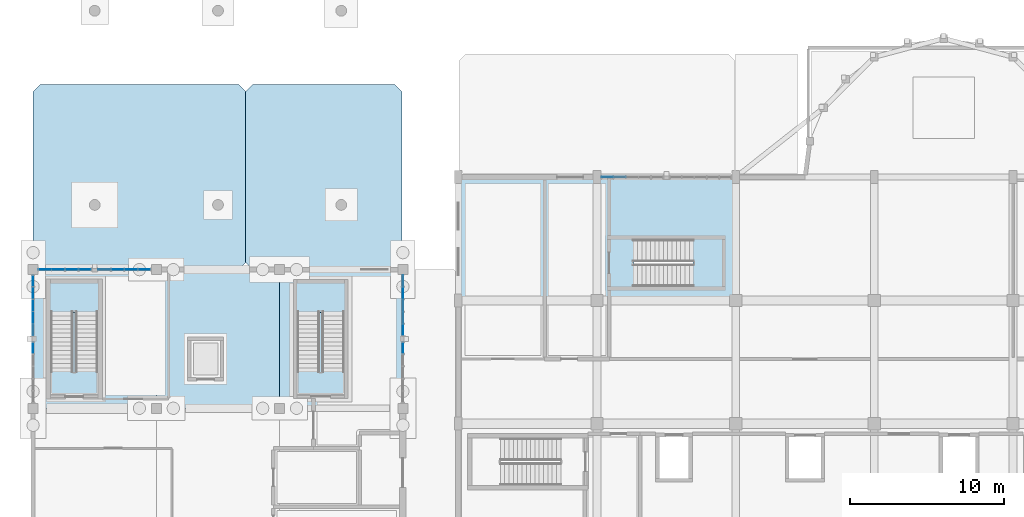
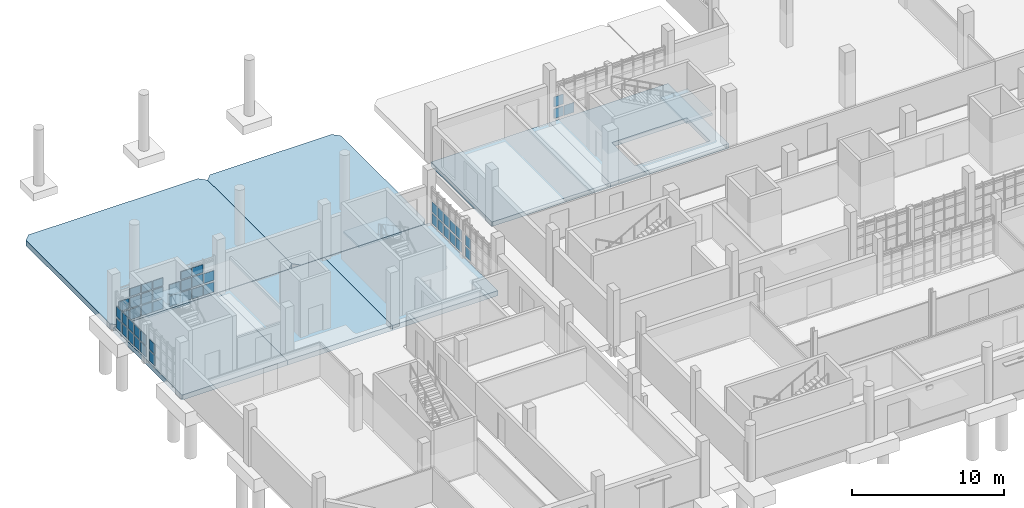
# One storey, part 32 of 63: 48 plates, 10 slabs, 10 elements without a shape of their own.
"""IFC4 building model written with IfcOpenShell, lengths in metres."""

import ifcopenshell
import ifcopenshell.guid

model = None  # the IFC model being written
_history = None  # IfcOwnerHistory: only IFC2X3 demands one
_inside = {}  # id of a spatial element -> (the spatial element, [elements in it])
_under = {}  # id of a project, library or spatial element -> (it, [spatial elements below it])
_declared = {}  # id of a project -> (the project, [libraries it declares])
_typed = {}  # id of a type object -> (the type object, [elements of that type])
_made_of = {}  # id of a material, layer set ... -> (it, [elements and type objects made of it])


def new_model(schema):
    """Start an empty IFC model of exactly this schema.

    Asked for "IFC4X3", IfcOpenShell would pick the latest addendum, in which some entities
    have other attributes; the version numbers below select the first issue.
    IFC2X3 requires an IfcOwnerHistory on every rooted entity: one is made here for all.
    """
    global model, _history
    if schema == "IFC4X3":
        model = ifcopenshell.file(schema_version=(4, 3, 0, 0))
    else:
        model = ifcopenshell.file(schema=schema)
    _inside.clear()
    _under.clear()
    _declared.clear()
    _typed.clear()
    _made_of.clear()
    _history = None
    if model.schema == "IFC2X3":
        org = make("IfcOrganization", Name="unknown")
        user = make(
            "IfcPersonAndOrganization",
            ThePerson=make("IfcPerson", FamilyName="unknown"),
            TheOrganization=org,
        )
        app = make(
            "IfcApplication",
            ApplicationDeveloper=org,
            Version="unknown",
            ApplicationFullName="unknown",
            ApplicationIdentifier="unknown",
        )
        _history = make(
            "IfcOwnerHistory",
            OwningUser=user,
            OwningApplication=app,
            ChangeAction="ADDED",
            CreationDate=0,
        )
    return model


def make(cls, **values):
    """One entity of the class cls with the attributes given. An attribute that is None is left unset."""
    return model.create_entity(
        cls, **{name: value for name, value in values.items() if value is not None}
    )


def rooted(cls, **values):
    """An entity with a GlobalId (a new one), such as an element, a storey or a relation."""
    return make(cls, GlobalId=ifcopenshell.guid.new(), OwnerHistory=_history, **values)


def si_unit(unit_type, name, prefix=None):
    """IfcSIUnit, for example si_unit("LENGTHUNIT", "METRE", prefix="MILLI")."""
    return make("IfcSIUnit", UnitType=unit_type, Prefix=prefix, Name=name)


def assignment(units):
    """IfcUnitAssignment: the units of a project."""
    return None if units is None else make("IfcUnitAssignment", Units=units)


def point(xyz):
    """IfcCartesianPoint."""
    return None if xyz is None else make("IfcCartesianPoint", Coordinates=xyz)


def direction(xyz):
    """IfcDirection."""
    return None if xyz is None else make("IfcDirection", DirectionRatios=xyz)


def frame(location, z_axis=None, x_axis=None):
    """IfcAxis2Placement3D, a coordinate frame: its origin and axes. An axis left out is left unset."""
    return make(
        "IfcAxis2Placement3D",
        Location=point(location),
        Axis=direction(z_axis),
        RefDirection=direction(x_axis),
    )


def frame_2d(location, x_axis=None):
    """IfcAxis2Placement2D, a coordinate frame in the plane: its origin and x axis."""
    return make(
        "IfcAxis2Placement2D", Location=point(location), RefDirection=direction(x_axis)
    )


def origin():
    """The frame at (0, 0, 0) with its axes left unset."""
    return frame((0.0, 0.0, 0.0))


def origin_2d():
    """The frame at (0, 0) in the plane with its x axis left unset."""
    return frame_2d((0.0, 0.0))


def place(relative_to, where):
    """IfcLocalPlacement: puts the frame where relative to a parent placement (None: the world)."""
    return make(
        "IfcLocalPlacement", PlacementRelTo=relative_to, RelativePlacement=where
    )


def context(
    kind, dimensions, precision=None, world=None, true_north=None, identifier=None
):
    """IfcGeometricRepresentationContext, for example the 3D "Model" context."""
    return make(
        "IfcGeometricRepresentationContext",
        ContextIdentifier=identifier,
        ContextType=kind,
        CoordinateSpaceDimension=dimensions,
        Precision=precision,
        WorldCoordinateSystem=world,
        TrueNorth=true_north,
    )


def subcontext(parent, identifier, kind, view, scale=None):
    """IfcGeometricRepresentationSubContext, for example "Body" below "Model"."""
    return make(
        "IfcGeometricRepresentationSubContext",
        ContextIdentifier=identifier,
        ContextType=kind,
        ParentContext=parent,
        TargetScale=scale,
        TargetView=view,
    )


def project(units=None, contexts=None):
    """IfcProject with its units and contexts."""
    return rooted(
        "IfcProject",
        Name="project",
        RepresentationContexts=contexts,
        UnitsInContext=assignment(units),
    )


def spatial(cls, under=None, at=None, **own):
    """A site, building, storey or space (cls), placed at a placement, below another one or the project."""
    s = rooted(cls, ObjectPlacement=at, **own)
    if under is not None:
        _under.setdefault(under.id(), (under, []))[1].append(s)
    return s


def polyline(points):
    """IfcPolyline through the points."""
    return make("IfcPolyline", Points=[point(p) for p in points])


def profile(cls, at=None, kind="AREA", **sizes):
    """A parametric profile (cls). Its sizes go by their IFC names, for example OverallWidth=200.0."""
    return make(cls, ProfileType=kind, Position=at, **sizes)


def rectangle(**sizes):
    """IfcRectangleProfileDef."""
    return profile("IfcRectangleProfileDef", **sizes)


def outline(outer, holes=None, kind="AREA"):
    """IfcArbitraryClosedProfileDef: a profile drawn as a closed curve; with holes, ...WithVoids."""
    if holes is None:
        return make("IfcArbitraryClosedProfileDef", ProfileType=kind, OuterCurve=outer)
    return make(
        "IfcArbitraryProfileDefWithVoids",
        ProfileType=kind,
        OuterCurve=outer,
        InnerCurves=holes,
    )


def extrude(swept, where, along, depth):
    """IfcExtrudedAreaSolid: the profile swept, set in the frame where, extruded along a direction by depth."""
    return make(
        "IfcExtrudedAreaSolid",
        SweptArea=swept,
        Position=where,
        ExtrudedDirection=direction(along),
        Depth=depth,
    )


def shape(context_of_items, identifier, shape_type, items):
    """IfcShapeRepresentation: the items that make up one representation, for example the "Body"."""
    return make(
        "IfcShapeRepresentation",
        ContextOfItems=context_of_items,
        RepresentationIdentifier=identifier,
        RepresentationType=shape_type,
        Items=items,
    )


def material(Name=None, Category=None):
    """IfcMaterial."""
    return make("IfcMaterial", Name=Name, Category=Category)


def layer(
    of_material, thickness, ventilated=None, Name=None, Category=None, Priority=None
):
    """IfcMaterialLayer: one layer of a wall or slab, of a material (None: an air gap)."""
    return make(
        "IfcMaterialLayer",
        Material=of_material,
        LayerThickness=thickness,
        IsVentilated=ventilated,
        Name=Name,
        Category=Category,
        Priority=Priority,
    )


def layer_set(layers, Name=None):
    """IfcMaterialLayerSet."""
    return make("IfcMaterialLayerSet", MaterialLayers=layers, LayerSetName=Name)


def made_of(thing, what):
    """Note that an element or type object is made of a material, layer set ...; save() writes the relation."""
    if what is not None:
        _made_of.setdefault(what.id(), (what, []))[1].append(thing)
    return thing


def type_object(cls, material=None, **own):
    """A type object (cls), such as IfcWallType, which elements share."""
    return made_of(rooted(cls, **own), material)


def element(
    cls,
    number,
    at=None,
    inside=None,
    cuts=None,
    type_object=None,
    material=None,
    context=None,
    identifier="Body",
    shape_type=None,
    held_by="IfcProductDefinitionShape",
    body=None,
    shapes=None,
    **own,
):
    """One element of the class cls, such as IfcWall. Its Tag is "e" and its number.

    at: its placement. inside: the storey or other place that contains it. cuts: it is an
    opening in that element (IfcRelVoidsElement). A single representation is given by context,
    identifier, shape_type and body (its items); several are given by shapes. held_by: the class
    of the entity that holds the representations. save() writes the other relations.
    """
    e = rooted(cls, Tag="e%d" % number, ObjectPlacement=at, **own)
    if body is not None:
        shapes = [shape(context, identifier, shape_type, body)]
    if shapes is not None:
        e.Representation = make(held_by, Representations=shapes)
    if inside is not None:
        _inside.setdefault(inside.id(), (inside, []))[1].append(e)
    if cuts is not None:
        rooted(
            "IfcRelVoidsElement", RelatingBuildingElement=cuts, RelatedOpeningElement=e
        )
    if type_object is not None:
        _typed.setdefault(type_object.id(), (type_object, []))[1].append(e)
    return made_of(e, material)


def aggregate(whole, parts):
    """IfcRelAggregates: a whole, such as a stair, and the parts it consists of."""
    return rooted("IfcRelAggregates", RelatingObject=whole, RelatedObjects=parts)


def save(model, path):
    """Write the relations noted so far, then the file.

    IfcRelAggregates (storeys below a building ...), IfcRelContainedInSpatialStructure (elements
    in a storey), IfcRelDefinesByType, IfcRelAssociatesMaterial and IfcRelDeclares: one each for
    every whole, place, type object, material and project.
    """
    for whole, parts in _under.values():
        aggregate(whole, parts)
    for where, things in _inside.values():
        rooted(
            "IfcRelContainedInSpatialStructure",
            RelatedElements=things,
            RelatingStructure=where,
        )
    for kind, things in _typed.values():
        rooted("IfcRelDefinesByType", RelatedObjects=things, RelatingType=kind)
    for what, things in _made_of.values():
        rooted("IfcRelAssociatesMaterial", RelatedObjects=things, RelatingMaterial=what)
    for by, libraries in _declared.values():
        rooted("IfcRelDeclares", RelatingContext=by, RelatedDefinitions=libraries)
    model.write(path)


model = new_model("IFC4")

# Units and contexts
model_context = context("Model", 3, precision=1e-05, world=origin(), true_north=direction((0.0, 1.0)))
body_context = subcontext(model_context, "Body", "Model", "MODEL_VIEW")
ifc_project = project(units=[si_unit("LENGTHUNIT", "METRE"), si_unit("AREAUNIT", "SQUARE_METRE"), si_unit("VOLUMEUNIT", "CUBIC_METRE"), si_unit("PLANEANGLEUNIT", "RADIAN"), si_unit("MASSUNIT", "GRAM", prefix="KILO")], contexts=[model_context])

# Site, building, storey
site_placement = place(None, origin())
site = spatial("IfcSite", under=ifc_project, at=site_placement, CompositionType="ELEMENT")
building_placement = place(site_placement, origin())
building = spatial("IfcBuilding", under=site, at=building_placement, Name="Serraforn Aerial Cableway Station", CompositionType="ELEMENT")
storey_placement = place(building_placement, origin())
storey = spatial("IfcBuildingStorey", under=building, at=storey_placement, Name="L00", CompositionType="ELEMENT", Elevation=0.0)

# Curtain wall, plates
ifc_material_1 = material(Name="Anodised bronze unitised curtain wall")
curtain_wall_type_1 = type_object("IfcCurtainWallType", Name="CW-SYS-7", PredefinedType="USERDEFINED", material=ifc_material_1)
curtain_wall_1_placement = place(storey_placement, origin())
curtain_wall_1 = element("IfcCurtainWall", 1, at=curtain_wall_1_placement, inside=storey, type_object=curtain_wall_type_1, Name="Unitised Curtain Wall CW-W-L00-W4A", ObjectType="UNITISED CURTAIN WALL", PredefinedType="USERDEFINED")
ifc_material_2 = material(Name="Solar-control low-E double glazing", Category="glass")
ifc_layer_1 = layer(ifc_material_2, 0.02587890625)
ifc_layer_set_1 = layer_set([ifc_layer_1], Name="Solar-control low-E double glazing")
plate_type_1 = type_object("IfcPlateType", Name="CW-GLZ-1", PredefinedType="CURTAIN_PANEL", material=ifc_layer_set_1)
plate_1_placement = place(storey_placement, frame((0.0, 35.26220703125, 1.14111328125), z_axis=(0.0, 0.0, 1.0), x_axis=(1.0, 0.0, 0.0)))
plate_1 = element("IfcPlate", 2, at=plate_1_placement, type_object=plate_type_1, Name="Curtain Wall Panel CW-W-L00-W4A-P1-2", PredefinedType="CURTAIN_PANEL", context=body_context, shape_type="SweptSolid", body=[
    extrude(rectangle(XDim=0.02587890625, YDim=0.703369140625, at=origin_2d()), origin(), (0.0, 0.0, 1.0), 0.802490234375),
])
plate_2_placement = place(storey_placement, frame((0.0, 34.47900390625, 0.20556640625), z_axis=(0.0, 0.0, 1.0), x_axis=(1.0, 0.0, 0.0)))
plate_2 = element("IfcPlate", 3, at=plate_2_placement, type_object=plate_type_1, Name="Curtain Wall Panel CW-W-L00-W4A-P2-1", PredefinedType="CURTAIN_PANEL", context=body_context, shape_type="SweptSolid", body=[
    extrude(rectangle(XDim=0.02587890625, YDim=0.73095703125, at=origin_2d()), origin(), (0.0, 0.0, 1.0), 0.802490234375),
])

# Curtain wall, plate
curtain_wall_type_2 = type_object("IfcCurtainWallType", Name="CW-SYS-8", PredefinedType="USERDEFINED", material=ifc_material_1)
curtain_wall_2_placement = place(storey_placement, origin())
curtain_wall_2 = element("IfcCurtainWall", 4, at=curtain_wall_2_placement, inside=storey, type_object=curtain_wall_type_2, Name="Unitised Curtain Wall CW-W-L00-W4B", ObjectType="UNITISED CURTAIN WALL", PredefinedType="USERDEFINED")
plate_3_placement = place(storey_placement, frame((0.0, 30.904052734375, 0.20556640625), z_axis=(0.0, 0.0, 1.0), x_axis=(1.0, 0.0, 0.0)))
plate_3 = element("IfcPlate", 5, at=plate_3_placement, type_object=plate_type_1, Name="Curtain Wall Panel CW-W-L00-W4B-P1-1", PredefinedType="CURTAIN_PANEL", context=body_context, shape_type="SweptSolid", body=[
    extrude(rectangle(XDim=0.02587890625, YDim=0.69580078125, at=origin_2d()), origin(), (0.0, 0.0, 1.0), 0.802490234375),
])

curtain_wall_type_3 = type_object("IfcCurtainWallType", Name="CW-SYS-1", PredefinedType="USERDEFINED", material=ifc_material_1)
curtain_wall_3_placement = place(storey_placement, origin())
curtain_wall_3 = element("IfcCurtainWall", 6, at=curtain_wall_3_placement, inside=storey, type_object=curtain_wall_type_3, Name="Unitised Curtain Wall CW-W-L00-N1A", ObjectType="UNITISED CURTAIN WALL", PredefinedType="USERDEFINED")
ifc_layer_2 = layer(ifc_material_2, 0.028076171875)
ifc_layer_set_2 = layer_set([ifc_layer_2], Name="Solar-control low-E double glazing")
plate_type_2 = type_object("IfcPlateType", Name="CW-GLZ-2", PredefinedType="CURTAIN_PANEL", material=ifc_layer_set_2)
plate_4_placement = place(storey_placement, frame((7.22607421875, 36.0, 0.1904296875), z_axis=(0.0, 0.0, 1.0), x_axis=(1.0, 0.0, 0.0)))
plate_4 = element("IfcPlate", 7, at=plate_4_placement, type_object=plate_type_2, Name="Curtain Wall Panel CW-W-L00-N1A-P1-1", PredefinedType="CURTAIN_PANEL", context=body_context, shape_type="SweptSolid", body=[
    extrude(rectangle(XDim=0.78564453125, YDim=0.028076171875, at=origin_2d()), origin(), (0.0, 0.0, 1.0), 0.797607421875),
])

# Plate
plate_5_placement = place(storey_placement, frame((0.0, 34.47900390625, 1.11376953125), z_axis=(0.0, 0.0, 1.0), x_axis=(1.0, 0.0, 0.0)))
plate_5 = element("IfcPlate", 8, at=plate_5_placement, type_object=plate_type_2, Name="Curtain Wall Panel CW-W-L00-W4A-P2-2", PredefinedType="CURTAIN_PANEL", context=body_context, shape_type="SweptSolid", body=[
    extrude(rectangle(XDim=0.028076171875, YDim=0.73095703125, at=origin_2d()), origin(), (0.0, 0.0, 1.0), 0.824951171875),
])

plate_6_placement = place(storey_placement, frame((0.0, 33.673583984375, 0.177734375), z_axis=(0.0, 0.0, 1.0), x_axis=(1.0, 0.0, 0.0)))
plate_6 = element("IfcPlate", 9, at=plate_6_placement, type_object=plate_type_2, Name="Curtain Wall Panel CW-W-L00-W4A-P3-1", PredefinedType="CURTAIN_PANEL", context=body_context, shape_type="SweptSolid", body=[
    extrude(rectangle(XDim=0.028076171875, YDim=0.73828125, at=origin_2d()), origin(), (0.0, 0.0, 1.0), 0.824951171875),
])

plate_7_placement = place(storey_placement, frame((0.0, 30.904052734375, 1.11376953125), z_axis=(0.0, 0.0, 1.0), x_axis=(1.0, 0.0, 0.0)))
plate_7 = element("IfcPlate", 10, at=plate_7_placement, type_object=plate_type_2, Name="Curtain Wall Panel CW-W-L00-W4B-P1-2", PredefinedType="CURTAIN_PANEL", context=body_context, shape_type="SweptSolid", body=[
    extrude(rectangle(XDim=0.028076171875, YDim=0.69580078125, at=origin_2d()), origin(), (0.0, 0.0, 1.0), 0.824951171875),
])

aggregate(curtain_wall_2, [plate_3, plate_7])

ifc_layer_3 = layer(ifc_material_2, 0.030029296875)
ifc_layer_set_3 = layer_set([ifc_layer_3], Name="Solar-control low-E double glazing")
plate_type_3 = type_object("IfcPlateType", Name="CW-GLZ-3", PredefinedType="CURTAIN_PANEL", material=ifc_layer_set_3)
plate_8_placement = place(storey_placement, frame((7.22607421875, 36.0, 1.1337890625), z_axis=(0.0, 0.0, 1.0), x_axis=(1.0, 0.0, 0.0)))
plate_8 = element("IfcPlate", 11, at=plate_8_placement, type_object=plate_type_3, Name="Curtain Wall Panel CW-W-L00-N1A-P1-2", PredefinedType="CURTAIN_PANEL", context=body_context, shape_type="SweptSolid", body=[
    extrude(rectangle(XDim=0.78564453125, YDim=0.030029296875, at=origin_2d()), origin(), (0.0, 0.0, 1.0), 0.782470703125),
])

plate_9_placement = place(storey_placement, frame((6.366943359375, 36.0, 0.19775390625), z_axis=(0.0, 0.0, 1.0), x_axis=(1.0, 0.0, 0.0)))
plate_9 = element("IfcPlate", 12, at=plate_9_placement, type_object=plate_type_3, Name="Curtain Wall Panel CW-W-L00-N1A-P2-1", PredefinedType="CURTAIN_PANEL", context=body_context, shape_type="SweptSolid", body=[
    extrude(rectangle(XDim=0.810791015625, YDim=0.030029296875, at=origin_2d()), origin(), (0.0, 0.0, 1.0), 0.782470703125),
])

# Curtain wall, plate
curtain_wall_type_4 = type_object("IfcCurtainWallType", Name="CW-SYS-2", PredefinedType="USERDEFINED", material=ifc_material_1)
curtain_wall_4_placement = place(storey_placement, origin())
curtain_wall_4 = element("IfcCurtainWall", 13, at=curtain_wall_4_placement, inside=storey, type_object=curtain_wall_type_4, Name="Unitised Curtain Wall CW-W-L00-N1B", ObjectType="UNITISED CURTAIN WALL", PredefinedType="USERDEFINED")
plate_10_placement = place(storey_placement, frame((3.367919921875, 36.0, 0.19775390625), z_axis=(0.0, 0.0, 1.0), x_axis=(1.0, 0.0, 0.0)))
plate_10 = element("IfcPlate", 14, at=plate_10_placement, type_object=plate_type_3, Name="Curtain Wall Panel CW-W-L00-N1B-P1-1", PredefinedType="CURTAIN_PANEL", context=body_context, shape_type="SweptSolid", body=[
    extrude(rectangle(XDim=0.7783203125, YDim=0.030029296875, at=origin_2d()), origin(), (0.0, 0.0, 1.0), 0.782470703125),
])

# Plate
plate_11_placement = place(storey_placement, frame((0.0, 33.673583984375, 1.118896484375), z_axis=(0.0, 0.0, 1.0), x_axis=(1.0, 0.0, 0.0)))
plate_11 = element("IfcPlate", 15, at=plate_11_placement, type_object=plate_type_3, Name="Curtain Wall Panel CW-W-L00-W4A-P3-2", PredefinedType="CURTAIN_PANEL", context=body_context, shape_type="SweptSolid", body=[
    extrude(rectangle(XDim=0.030029296875, YDim=0.73828125, at=origin_2d()), origin(), (0.0, 0.0, 1.0), 0.8125),
])

plate_12_placement = place(storey_placement, frame((0.0, 32.88037109375, 0.182861328125), z_axis=(0.0, 0.0, 1.0), x_axis=(1.0, 0.0, 0.0)))
plate_12 = element("IfcPlate", 16, at=plate_12_placement, type_object=plate_type_3, Name="Curtain Wall Panel CW-W-L00-W4A-P4-1", PredefinedType="CURTAIN_PANEL", context=body_context, shape_type="SweptSolid", body=[
    extrude(rectangle(XDim=0.030029296875, YDim=0.745849609375, at=origin_2d()), origin(), (0.0, 0.0, 1.0), 0.8125),
])

# Curtain wall, plate
curtain_wall_type_5 = type_object("IfcCurtainWallType", Name="CW-SYS-10", PredefinedType="USERDEFINED", material=ifc_material_1)
curtain_wall_5_placement = place(storey_placement, origin())
curtain_wall_5 = element("IfcCurtainWall", 17, at=curtain_wall_5_placement, inside=storey, type_object=curtain_wall_type_5, Name="Unitised Curtain Wall CW-W-L00-E4B", ObjectType="UNITISED CURTAIN WALL", PredefinedType="USERDEFINED")
plate_13_placement = place(storey_placement, frame((24.0, 32.09228515625, 0.182861328125), z_axis=(0.0, 0.0, 1.0), x_axis=(1.0, 0.0, 0.0)))
plate_13 = element("IfcPlate", 18, at=plate_13_placement, type_object=plate_type_3, Name="Curtain Wall Panel CW-W-L00-E4B-P1-1", PredefinedType="CURTAIN_PANEL", context=body_context, shape_type="SweptSolid", body=[
    extrude(rectangle(XDim=0.030029296875, YDim=0.718505859375, at=origin_2d()), origin(), (0.0, 0.0, 1.0), 0.8125),
])

# Plate
ifc_layer_4 = layer(ifc_material_2, 0.031982421875)
ifc_layer_set_4 = layer_set([ifc_layer_4], Name="Solar-control low-E double glazing")
plate_type_4 = type_object("IfcPlateType", Name="CW-GLZ-4", PredefinedType="CURTAIN_PANEL", material=ifc_layer_set_4)
plate_14_placement = place(storey_placement, frame((6.366943359375, 36.0, 1.14111328125), z_axis=(0.0, 0.0, 1.0), x_axis=(1.0, 0.0, 0.0)))
plate_14 = element("IfcPlate", 19, at=plate_14_placement, type_object=plate_type_4, Name="Curtain Wall Panel CW-W-L00-N1A-P2-2", PredefinedType="CURTAIN_PANEL", context=body_context, shape_type="SweptSolid", body=[
    extrude(rectangle(XDim=0.810791015625, YDim=0.031982421875, at=origin_2d()), origin(), (0.0, 0.0, 1.0), 0.802490234375),
])

plate_15_placement = place(storey_placement, frame((5.49267578125, 36.0, 0.20556640625), z_axis=(0.0, 0.0, 1.0), x_axis=(1.0, 0.0, 0.0)))
plate_15 = element("IfcPlate", 20, at=plate_15_placement, type_object=plate_type_4, Name="Curtain Wall Panel CW-W-L00-N1A-P3-1", PredefinedType="CURTAIN_PANEL", context=body_context, shape_type="SweptSolid", body=[
    extrude(rectangle(XDim=0.8056640625, YDim=0.031982421875, at=origin_2d()), origin(), (0.0, 0.0, 1.0), 0.802490234375),
])

plate_16_placement = place(storey_placement, frame((3.367919921875, 36.0, 1.14111328125), z_axis=(0.0, 0.0, 1.0), x_axis=(1.0, 0.0, 0.0)))
plate_16 = element("IfcPlate", 21, at=plate_16_placement, type_object=plate_type_4, Name="Curtain Wall Panel CW-W-L00-N1B-P1-2", PredefinedType="CURTAIN_PANEL", context=body_context, shape_type="SweptSolid", body=[
    extrude(rectangle(XDim=0.7783203125, YDim=0.031982421875, at=origin_2d()), origin(), (0.0, 0.0, 1.0), 0.802490234375),
])

plate_17_placement = place(storey_placement, frame((2.510009765625, 36.0, 0.20556640625), z_axis=(0.0, 0.0, 1.0), x_axis=(1.0, 0.0, 0.0)))
plate_17 = element("IfcPlate", 22, at=plate_17_placement, type_object=plate_type_4, Name="Curtain Wall Panel CW-W-L00-N1B-P2-1", PredefinedType="CURTAIN_PANEL", context=body_context, shape_type="SweptSolid", body=[
    extrude(rectangle(XDim=0.8056640625, YDim=0.031982421875, at=origin_2d()), origin(), (0.0, 0.0, 1.0), 0.802490234375),
])

plate_18_placement = place(storey_placement, frame((0.0, 32.88037109375, 1.1259765625), z_axis=(0.0, 0.0, 1.0), x_axis=(1.0, 0.0, 0.0)))
plate_18 = element("IfcPlate", 23, at=plate_18_placement, type_object=plate_type_4, Name="Curtain Wall Panel CW-W-L00-W4A-P4-2", PredefinedType="CURTAIN_PANEL", context=body_context, shape_type="SweptSolid", body=[
    extrude(rectangle(XDim=0.031982421875, YDim=0.745849609375, at=origin_2d()), origin(), (0.0, 0.0, 1.0), 0.797607421875),
])

plate_19_placement = place(storey_placement, frame((0.0, 32.09716796875, 0.1904296875), z_axis=(0.0, 0.0, 1.0), x_axis=(1.0, 0.0, 0.0)))
plate_19 = element("IfcPlate", 24, at=plate_19_placement, type_object=plate_type_4, Name="Curtain Wall Panel CW-W-L00-W4A-P5-1", PredefinedType="CURTAIN_PANEL", context=body_context, shape_type="SweptSolid", body=[
    extrude(rectangle(XDim=0.031982421875, YDim=0.70849609375, at=origin_2d()), origin(), (0.0, 0.0, 1.0), 0.797607421875),
])

plate_20_placement = place(storey_placement, frame((24.0, 32.09228515625, 1.1259765625), z_axis=(0.0, 0.0, 1.0), x_axis=(1.0, 0.0, 0.0)))
plate_20 = element("IfcPlate", 25, at=plate_20_placement, type_object=plate_type_4, Name="Curtain Wall Panel CW-W-L00-E4B-P1-2", PredefinedType="CURTAIN_PANEL", context=body_context, shape_type="SweptSolid", body=[
    extrude(rectangle(XDim=0.031982421875, YDim=0.718505859375, at=origin_2d()), origin(), (0.0, 0.0, 1.0), 0.797607421875),
])

plate_21_placement = place(storey_placement, frame((24.0, 32.8779296875, 0.1904296875), z_axis=(0.0, 0.0, 1.0), x_axis=(1.0, 0.0, 0.0)))
plate_21 = element("IfcPlate", 26, at=plate_21_placement, type_object=plate_type_4, Name="Curtain Wall Panel CW-W-L00-E4B-P2-1", PredefinedType="CURTAIN_PANEL", context=body_context, shape_type="SweptSolid", body=[
    extrude(rectangle(XDim=0.031982421875, YDim=0.740966796875, at=origin_2d()), origin(), (0.0, 0.0, 1.0), 0.797607421875),
])

ifc_layer_5 = layer(ifc_material_2, 0.033935546875)
ifc_layer_set_5 = layer_set([ifc_layer_5], Name="Solar-control low-E double glazing")
plate_type_5 = type_object("IfcPlateType", Name="CW-GLZ-5", PredefinedType="CURTAIN_PANEL", material=ifc_layer_set_5)
plate_22_placement = place(storey_placement, frame((6.366943359375, 36.0, 2.0498046875), z_axis=(0.0, 0.0, 1.0), x_axis=(1.0, 0.0, 0.0)))
plate_22 = element("IfcPlate", 27, at=plate_22_placement, type_object=plate_type_5, Name="Curtain Wall Panel CW-W-L00-N1A-P2-3", PredefinedType="CURTAIN_PANEL", context=body_context, shape_type="SweptSolid", body=[
    extrude(rectangle(XDim=0.810791015625, YDim=0.033935546875, at=origin_2d()), origin(), (0.0, 0.0, 1.0), 0.6376953125),
])

plate_23_placement = place(storey_placement, frame((5.49267578125, 36.0, 1.11376953125), z_axis=(0.0, 0.0, 1.0), x_axis=(1.0, 0.0, 0.0)))
plate_23 = element("IfcPlate", 28, at=plate_23_placement, type_object=plate_type_5, Name="Curtain Wall Panel CW-W-L00-N1A-P3-2", PredefinedType="CURTAIN_PANEL", context=body_context, shape_type="SweptSolid", body=[
    extrude(rectangle(XDim=0.8056640625, YDim=0.033935546875, at=origin_2d()), origin(), (0.0, 0.0, 1.0), 0.824951171875),
])

plate_24_placement = place(storey_placement, frame((4.6259765625, 36.0, 0.177734375), z_axis=(0.0, 0.0, 1.0), x_axis=(1.0, 0.0, 0.0)))
plate_24 = element("IfcPlate", 29, at=plate_24_placement, type_object=plate_type_5, Name="Curtain Wall Panel CW-W-L00-N1A-P4-1", PredefinedType="CURTAIN_PANEL", context=body_context, shape_type="SweptSolid", body=[
    extrude(rectangle(XDim=0.78564453125, YDim=0.033935546875, at=origin_2d()), origin(), (0.0, 0.0, 1.0), 0.824951171875),
])

plate_25_placement = place(storey_placement, frame((3.367919921875, 36.0, 2.0498046875), z_axis=(0.0, 0.0, 1.0), x_axis=(1.0, 0.0, 0.0)))
plate_25 = element("IfcPlate", 30, at=plate_25_placement, type_object=plate_type_5, Name="Curtain Wall Panel CW-W-L00-N1B-P1-3", PredefinedType="CURTAIN_PANEL", context=body_context, shape_type="SweptSolid", body=[
    extrude(rectangle(XDim=0.7783203125, YDim=0.033935546875, at=origin_2d()), origin(), (0.0, 0.0, 1.0), 0.6376953125),
])

plate_26_placement = place(storey_placement, frame((2.510009765625, 36.0, 1.11376953125), z_axis=(0.0, 0.0, 1.0), x_axis=(1.0, 0.0, 0.0)))
plate_26 = element("IfcPlate", 31, at=plate_26_placement, type_object=plate_type_5, Name="Curtain Wall Panel CW-W-L00-N1B-P2-2", PredefinedType="CURTAIN_PANEL", context=body_context, shape_type="SweptSolid", body=[
    extrude(rectangle(XDim=0.8056640625, YDim=0.033935546875, at=origin_2d()), origin(), (0.0, 0.0, 1.0), 0.824951171875),
])

plate_27_placement = place(storey_placement, frame((1.62939453125, 36.0, 0.177734375), z_axis=(0.0, 0.0, 1.0), x_axis=(1.0, 0.0, 0.0)))
plate_27 = element("IfcPlate", 32, at=plate_27_placement, type_object=plate_type_5, Name="Curtain Wall Panel CW-W-L00-N1B-P3-1", PredefinedType="CURTAIN_PANEL", context=body_context, shape_type="SweptSolid", body=[
    extrude(rectangle(XDim=0.813232421875, YDim=0.033935546875, at=origin_2d()), origin(), (0.0, 0.0, 1.0), 0.824951171875),
])

plate_28_placement = place(storey_placement, frame((0.0, 32.09716796875, 1.1337890625), z_axis=(0.0, 0.0, 1.0), x_axis=(1.0, 0.0, 0.0)))
plate_28 = element("IfcPlate", 33, at=plate_28_placement, type_object=plate_type_5, Name="Curtain Wall Panel CW-W-L00-W4A-P5-2", PredefinedType="CURTAIN_PANEL", context=body_context, shape_type="SweptSolid", body=[
    extrude(rectangle(XDim=0.033935546875, YDim=0.70849609375, at=origin_2d()), origin(), (0.0, 0.0, 1.0), 0.782470703125),
])

plate_29_placement = place(storey_placement, frame((24.0, 32.8779296875, 1.1337890625), z_axis=(0.0, 0.0, 1.0), x_axis=(1.0, 0.0, 0.0)))
plate_29 = element("IfcPlate", 34, at=plate_29_placement, type_object=plate_type_5, Name="Curtain Wall Panel CW-W-L00-E4B-P2-2", PredefinedType="CURTAIN_PANEL", context=body_context, shape_type="SweptSolid", body=[
    extrude(rectangle(XDim=0.033935546875, YDim=0.740966796875, at=origin_2d()), origin(), (0.0, 0.0, 1.0), 0.782470703125),
])

plate_30_placement = place(storey_placement, frame((24.0, 33.67724609375, 0.19775390625), z_axis=(0.0, 0.0, 1.0), x_axis=(1.0, 0.0, 0.0)))
plate_30 = element("IfcPlate", 35, at=plate_30_placement, type_object=plate_type_5, Name="Curtain Wall Panel CW-W-L00-E4B-P3-1", PredefinedType="CURTAIN_PANEL", context=body_context, shape_type="SweptSolid", body=[
    extrude(rectangle(XDim=0.033935546875, YDim=0.73583984375, at=origin_2d()), origin(), (0.0, 0.0, 1.0), 0.782470703125),
])

ifc_layer_6 = layer(ifc_material_2, 0.035888671875)
ifc_layer_set_6 = layer_set([ifc_layer_6], Name="Solar-control low-E double glazing")
plate_type_6 = type_object("IfcPlateType", Name="CW-GLZ-6", PredefinedType="CURTAIN_PANEL", material=ifc_layer_set_6)
plate_31_placement = place(storey_placement, frame((5.49267578125, 36.0, 2.0546875), z_axis=(0.0, 0.0, 1.0), x_axis=(1.0, 0.0, 0.0)))
plate_31 = element("IfcPlate", 36, at=plate_31_placement, type_object=plate_type_6, Name="Curtain Wall Panel CW-W-L00-N1A-P3-3", PredefinedType="CURTAIN_PANEL", context=body_context, shape_type="SweptSolid", body=[
    extrude(rectangle(XDim=0.8056640625, YDim=0.035888671875, at=origin_2d()), origin(), (0.0, 0.0, 1.0), 0.625244140625),
])

plate_32_placement = place(storey_placement, frame((4.6259765625, 36.0, 1.118896484375), z_axis=(0.0, 0.0, 1.0), x_axis=(1.0, 0.0, 0.0)))
plate_32 = element("IfcPlate", 37, at=plate_32_placement, type_object=plate_type_6, Name="Curtain Wall Panel CW-W-L00-N1A-P4-2", PredefinedType="CURTAIN_PANEL", context=body_context, shape_type="SweptSolid", body=[
    extrude(rectangle(XDim=0.78564453125, YDim=0.035888671875, at=origin_2d()), origin(), (0.0, 0.0, 1.0), 0.8125),
])

aggregate(curtain_wall_3, [plate_4, plate_8, plate_9, plate_14, plate_22, plate_15, plate_23, plate_31, plate_24, plate_32])

plate_33_placement = place(storey_placement, frame((2.510009765625, 36.0, 2.0546875), z_axis=(0.0, 0.0, 1.0), x_axis=(1.0, 0.0, 0.0)))
plate_33 = element("IfcPlate", 38, at=plate_33_placement, type_object=plate_type_6, Name="Curtain Wall Panel CW-W-L00-N1B-P2-3", PredefinedType="CURTAIN_PANEL", context=body_context, shape_type="SweptSolid", body=[
    extrude(rectangle(XDim=0.8056640625, YDim=0.035888671875, at=origin_2d()), origin(), (0.0, 0.0, 1.0), 0.625244140625),
])

plate_34_placement = place(storey_placement, frame((1.62939453125, 36.0, 1.118896484375), z_axis=(0.0, 0.0, 1.0), x_axis=(1.0, 0.0, 0.0)))
plate_34 = element("IfcPlate", 39, at=plate_34_placement, type_object=plate_type_6, Name="Curtain Wall Panel CW-W-L00-N1B-P3-2", PredefinedType="CURTAIN_PANEL", context=body_context, shape_type="SweptSolid", body=[
    extrude(rectangle(XDim=0.813232421875, YDim=0.035888671875, at=origin_2d()), origin(), (0.0, 0.0, 1.0), 0.8125),
])

plate_35_placement = place(storey_placement, frame((0.7763671875, 36.0, 0.182861328125), z_axis=(0.0, 0.0, 1.0), x_axis=(1.0, 0.0, 0.0)))
plate_35 = element("IfcPlate", 40, at=plate_35_placement, type_object=plate_type_6, Name="Curtain Wall Panel CW-W-L00-N1B-P4-1", PredefinedType="CURTAIN_PANEL", context=body_context, shape_type="SweptSolid", body=[
    extrude(rectangle(XDim=0.790771484375, YDim=0.035888671875, at=origin_2d()), origin(), (0.0, 0.0, 1.0), 0.8125),
])

# Curtain wall, plate
curtain_wall_type_6 = type_object("IfcCurtainWallType", Name="CW-SYS-9", PredefinedType="USERDEFINED", material=ifc_material_1)
curtain_wall_6_placement = place(storey_placement, origin())
curtain_wall_6 = element("IfcCurtainWall", 41, at=curtain_wall_6_placement, inside=storey, type_object=curtain_wall_type_6, Name="Unitised Curtain Wall CW-W-L00-E4A", ObjectType="UNITISED CURTAIN WALL", PredefinedType="USERDEFINED")
plate_36_placement = place(storey_placement, frame((24.0, 30.900390625, 0.20556640625), z_axis=(0.0, 0.0, 1.0), x_axis=(1.0, 0.0, 0.0)))
plate_36 = element("IfcPlate", 42, at=plate_36_placement, type_object=plate_type_6, Name="Curtain Wall Panel CW-W-L00-E4A-P5-1", PredefinedType="CURTAIN_PANEL", context=body_context, shape_type="SweptSolid", body=[
    extrude(rectangle(XDim=0.035888671875, YDim=0.693359375, at=origin_2d()), origin(), (0.0, 0.0, 1.0), 0.802490234375),
])

# Plate
plate_37_placement = place(storey_placement, frame((24.0, 33.67724609375, 1.14111328125), z_axis=(0.0, 0.0, 1.0), x_axis=(1.0, 0.0, 0.0)))
plate_37 = element("IfcPlate", 43, at=plate_37_placement, type_object=plate_type_6, Name="Curtain Wall Panel CW-W-L00-E4B-P3-2", PredefinedType="CURTAIN_PANEL", context=body_context, shape_type="SweptSolid", body=[
    extrude(rectangle(XDim=0.035888671875, YDim=0.73583984375, at=origin_2d()), origin(), (0.0, 0.0, 1.0), 0.802490234375),
])

plate_38_placement = place(storey_placement, frame((24.0, 34.4765625, 0.20556640625), z_axis=(0.0, 0.0, 1.0), x_axis=(1.0, 0.0, 0.0)))
plate_38 = element("IfcPlate", 44, at=plate_38_placement, type_object=plate_type_6, Name="Curtain Wall Panel CW-W-L00-E4B-P4-1", PredefinedType="CURTAIN_PANEL", context=body_context, shape_type="SweptSolid", body=[
    extrude(rectangle(XDim=0.035888671875, YDim=0.73095703125, at=origin_2d()), origin(), (0.0, 0.0, 1.0), 0.802490234375),
])

# Curtain wall, plate
curtain_wall_7_placement = place(storey_placement, origin())
curtain_wall_7 = element("IfcCurtainWall", 45, at=curtain_wall_7_placement, inside=storey, type_object=curtain_wall_type_4, Name="Unitised Curtain Wall CW-CV-L00-N2B", ObjectType="UNITISED CURTAIN WALL", PredefinedType="USERDEFINED")
plate_39_placement = place(storey_placement, frame((38.07080078125, 42.0, 0.1904296875), z_axis=(0.0, 0.0, 1.0), x_axis=(1.0, 0.0, 0.0)))
plate_39 = element("IfcPlate", 46, at=plate_39_placement, type_object=plate_type_6, Name="Curtain Wall Panel CW-CV-L00-N2B-P4-1", PredefinedType="CURTAIN_PANEL", context=body_context, shape_type="SweptSolid", body=[
    extrude(rectangle(XDim=0.755859375, YDim=0.035888671875, at=origin_2d()), origin(), (0.0, 0.0, 1.0), 0.797607421875),
])

# Plate
ifc_layer_7 = layer(ifc_material_2, 0.029052734375)
ifc_layer_set_7 = layer_set([ifc_layer_7], Name="Solar-control low-E double glazing")
plate_type_7 = type_object("IfcPlateType", Name="CW-GLZ-7", PredefinedType="CURTAIN_PANEL", material=ifc_layer_set_7)
plate_40_placement = place(storey_placement, frame((1.62939453125, 36.0, 2.062255859375), z_axis=(0.0, 0.0, 1.0), x_axis=(1.0, 0.0, 0.0)))
plate_40 = element("IfcPlate", 47, at=plate_40_placement, type_object=plate_type_7, Name="Curtain Wall Panel CW-W-L00-N1B-P3-3", PredefinedType="CURTAIN_PANEL", context=body_context, shape_type="SweptSolid", body=[
    extrude(rectangle(XDim=0.813232421875, YDim=0.029052734375, at=origin_2d()), origin(), (0.0, 0.0, 1.0), 0.6103515625),
])

plate_41_placement = place(storey_placement, frame((0.7763671875, 36.0, 1.1259765625), z_axis=(0.0, 0.0, 1.0), x_axis=(1.0, 0.0, 0.0)))
plate_41 = element("IfcPlate", 48, at=plate_41_placement, type_object=plate_type_7, Name="Curtain Wall Panel CW-W-L00-N1B-P4-2", PredefinedType="CURTAIN_PANEL", context=body_context, shape_type="SweptSolid", body=[
    extrude(rectangle(XDim=0.790771484375, YDim=0.029052734375, at=origin_2d()), origin(), (0.0, 0.0, 1.0), 0.797607421875),
])

aggregate(curtain_wall_4, [plate_10, plate_16, plate_25, plate_17, plate_26, plate_33, plate_27, plate_34, plate_40, plate_35, plate_41])

plate_42_placement = place(storey_placement, frame((24.0, 30.900390625, 1.11376953125), z_axis=(0.0, 0.0, 1.0), x_axis=(1.0, 0.0, 0.0)))
plate_42 = element("IfcPlate", 49, at=plate_42_placement, type_object=plate_type_7, Name="Curtain Wall Panel CW-W-L00-E4A-P5-2", PredefinedType="CURTAIN_PANEL", context=body_context, shape_type="SweptSolid", body=[
    extrude(rectangle(XDim=0.029052734375, YDim=0.693359375, at=origin_2d()), origin(), (0.0, 0.0, 1.0), 0.824951171875),
])

aggregate(curtain_wall_6, [plate_36, plate_42])

plate_43_placement = place(storey_placement, frame((24.0, 34.4765625, 1.11376953125), z_axis=(0.0, 0.0, 1.0), x_axis=(1.0, 0.0, 0.0)))
plate_43 = element("IfcPlate", 50, at=plate_43_placement, type_object=plate_type_7, Name="Curtain Wall Panel CW-W-L00-E4B-P4-2", PredefinedType="CURTAIN_PANEL", context=body_context, shape_type="SweptSolid", body=[
    extrude(rectangle(XDim=0.029052734375, YDim=0.73095703125, at=origin_2d()), origin(), (0.0, 0.0, 1.0), 0.824951171875),
])

plate_44_placement = place(storey_placement, frame((24.0, 35.2685546875, 0.177734375), z_axis=(0.0, 0.0, 1.0), x_axis=(1.0, 0.0, 0.0)))
plate_44 = element("IfcPlate", 51, at=plate_44_placement, type_object=plate_type_7, Name="Curtain Wall Panel CW-W-L00-E4B-P5-1", PredefinedType="CURTAIN_PANEL", context=body_context, shape_type="SweptSolid", body=[
    extrude(rectangle(XDim=0.029052734375, YDim=0.7109375, at=origin_2d()), origin(), (0.0, 0.0, 1.0), 0.824951171875),
])

plate_45_placement = place(storey_placement, frame((37.27392578125, 42.0, 0.19775390625), z_axis=(0.0, 0.0, 1.0), x_axis=(1.0, 0.0, 0.0)))
plate_45 = element("IfcPlate", 52, at=plate_45_placement, type_object=plate_type_7, Name="Curtain Wall Panel CW-CV-L00-N2B-P5-1", PredefinedType="CURTAIN_PANEL", context=body_context, shape_type="SweptSolid", body=[
    extrude(rectangle(XDim=0.7158203125, YDim=0.029052734375, at=origin_2d()), origin(), (0.0, 0.0, 1.0), 0.782470703125),
])

ifc_layer_8 = layer(ifc_material_2, 0.031005859375)
ifc_layer_set_8 = layer_set([ifc_layer_8], Name="Solar-control low-E double glazing")
plate_type_8 = type_object("IfcPlateType", Name="CW-GLZ-8", PredefinedType="CURTAIN_PANEL", material=ifc_layer_set_8)
plate_46_placement = place(storey_placement, frame((0.0, 35.26220703125, 0.19775390625), z_axis=(0.0, 0.0, 1.0), x_axis=(1.0, 0.0, 0.0)))
plate_46 = element("IfcPlate", 53, at=plate_46_placement, type_object=plate_type_8, Name="Curtain Wall Panel CW-W-L00-W4A-P1-1", PredefinedType="CURTAIN_PANEL", context=body_context, shape_type="SweptSolid", body=[
    extrude(rectangle(XDim=0.031005859375, YDim=0.703369140625, at=origin_2d()), origin(), (0.0, 0.0, 1.0), 0.782470703125),
])

aggregate(curtain_wall_1, [plate_46, plate_1, plate_2, plate_5, plate_6, plate_11, plate_12, plate_18, plate_19, plate_28])

plate_47_placement = place(storey_placement, frame((24.0, 35.2685546875, 1.118896484375), z_axis=(0.0, 0.0, 1.0), x_axis=(1.0, 0.0, 0.0)))
plate_47 = element("IfcPlate", 54, at=plate_47_placement, type_object=plate_type_8, Name="Curtain Wall Panel CW-W-L00-E4B-P5-2", PredefinedType="CURTAIN_PANEL", context=body_context, shape_type="SweptSolid", body=[
    extrude(rectangle(XDim=0.031005859375, YDim=0.7109375, at=origin_2d()), origin(), (0.0, 0.0, 1.0), 0.8125),
])

aggregate(curtain_wall_5, [plate_13, plate_20, plate_21, plate_29, plate_30, plate_37, plate_38, plate_43, plate_44, plate_47])

plate_48_placement = place(storey_placement, frame((37.27392578125, 42.0, 1.14111328125), z_axis=(0.0, 0.0, 1.0), x_axis=(1.0, 0.0, 0.0)))
plate_48 = element("IfcPlate", 55, at=plate_48_placement, type_object=plate_type_8, Name="Curtain Wall Panel CW-CV-L00-N2B-P5-2", PredefinedType="CURTAIN_PANEL", context=body_context, shape_type="SweptSolid", body=[
    extrude(rectangle(XDim=0.7158203125, YDim=0.031005859375, at=origin_2d()), origin(), (0.0, 0.0, 1.0), 0.802490234375),
])

aggregate(curtain_wall_7, [plate_39, plate_45, plate_48])

# Slabs
ifc_material_3 = material(Name="Concrete C35/45", Category="concrete")
ifc_layer_9 = layer(ifc_material_3, 0.39990234375)
ifc_layer_set_9 = layer_set([ifc_layer_9], Name="Concrete C35/45")
slab_type_1 = type_object("IfcSlabType", Name="SLB-BASE-400", PredefinedType="BASESLAB", material=ifc_layer_set_9)
slab_1_placement = place(storey_placement, frame((0.0, 0.0, -0.39990234375)))
element("IfcSlab", 56, at=slab_1_placement, inside=storey, type_object=slab_type_1, Name="Floor Slab W-L00-1-4", PredefinedType="BASESLAB", context=body_context, shape_type="SweptSolid", body=[
    extrude(outline(polyline([(0.0, 27.0), (8.0, 27.0), (8.0, 36.0), (0.0, 36.0), (0.0, 27.0)])), origin(), (0.0, 0.0, 1.0), 0.39990234375),
])
slab_2_placement = place(storey_placement, frame((0.0, 0.0, -0.39990234375)))
element("IfcSlab", 57, at=slab_2_placement, inside=storey, type_object=slab_type_1, Name="Floor Slab W-L00-2-4", PredefinedType="BASESLAB", context=body_context, shape_type="SweptSolid", body=[
    extrude(outline(polyline([(8.0, 27.0), (16.0, 27.0), (16.0, 36.0), (8.0, 36.0), (8.0, 27.0)])), origin(), (0.0, 0.0, 1.0), 0.39990234375),
])
slab_3_placement = place(storey_placement, frame((0.0, 0.0, -0.39990234375)))
element("IfcSlab", 58, at=slab_3_placement, inside=storey, type_object=slab_type_1, Name="Floor Slab W-L00-3-4", PredefinedType="BASESLAB", context=body_context, shape_type="SweptSolid", body=[
    extrude(outline(polyline([(16.0, 27.0), (24.0, 27.0), (24.0, 36.0), (16.0, 36.0), (16.0, 27.0)])), origin(), (0.0, 0.0, 1.0), 0.39990234375),
])
ifc_material_4 = material(Name="Concrete C40/50", Category="concrete")
ifc_layer_10 = layer(ifc_material_4, 0.360107421875)
ifc_layer_set_10 = layer_set([ifc_layer_10], Name="Concrete C40/50")
slab_type_2 = type_object("IfcSlabType", Name="SLB-FLR-360", PredefinedType="FLOOR", material=ifc_layer_set_10)
slab_4_placement = place(storey_placement, frame((0.0, 0.0, -0.360107421875)))
element("IfcSlab", 59, at=slab_4_placement, inside=storey, type_object=slab_type_2, Name="Floor Slab CV-L00-1-3", PredefinedType="FLOOR", context=body_context, shape_type="SweptSolid", body=[
    extrude(outline(polyline([(27.60009765625, 34.0), (36.60009765625, 34.0), (36.60009765625, 42.0), (27.60009765625, 42.0), (27.60009765625, 34.0)])), origin(), (0.0, 0.0, 1.0), 0.360107421875),
])
slab_5_placement = place(storey_placement, frame((0.0, 0.0, -0.360107421875)))
element("IfcSlab", 60, at=slab_5_placement, inside=storey, type_object=slab_type_2, Name="Floor Slab CV-L00-2-3", PredefinedType="FLOOR", context=body_context, shape_type="SweptSolid", body=[
    extrude(outline(polyline([(36.60009765625, 34.0), (45.60009765625, 34.0), (45.60009765625, 42.0), (36.60009765625, 42.0), (36.60009765625, 34.0)]), holes=[polyline([(39.0, 34.89990234375), (44.699951171875, 34.89990234375), (44.699951171875, 37.9599609375), (39.0, 37.9599609375), (39.0, 34.89990234375)])]), origin(), (0.0, 0.0, 1.0), 0.360107421875),
])

# Stair, slab
stair_type_1 = type_object("IfcStairType", Name="STR-DL-1", PredefinedType="HALF_TURN_STAIR", material=ifc_material_3)
stair_1_placement = place(storey_placement, origin())
stair_1 = element("IfcStair", 61, at=stair_1_placement, inside=storey, type_object=stair_type_1, Name="L00 West Wing North Exit Stair 1", PredefinedType="HALF_TURN_STAIR")
ifc_layer_11 = layer(ifc_material_3, 0.159912109375)
ifc_layer_set_11 = layer_set([ifc_layer_11], Name="Concrete C35/45")
slab_type_3 = type_object("IfcSlabType", Name="SLB-LND-160", PredefinedType="LANDING", material=ifc_layer_set_11)
slab_6_placement = place(storey_placement, frame((0.0, 0.0, 2.090087890625)))
slab_6 = element("IfcSlab", 62, at=slab_6_placement, type_object=slab_type_3, Name="ST-01 landing 1", PredefinedType="LANDING", context=body_context, shape_type="SweptSolid", body=[
    extrude(outline(polyline([(4.320068359375, 33.219970703125), (4.320068359375, 35.219970703125), (1.02001953125, 35.219970703125), (1.02001953125, 33.219970703125), (4.320068359375, 33.219970703125)])), origin(), (0.0, 0.0, 1.0), 0.159912109375),
])
aggregate(stair_1, [slab_6])

stair_type_2 = type_object("IfcStairType", Name="STR-DL-2", PredefinedType="HALF_TURN_STAIR", material=ifc_material_3)
stair_2_placement = place(storey_placement, origin())
stair_2 = element("IfcStair", 63, at=stair_2_placement, inside=storey, type_object=stair_type_2, Name="L00 West Wing East Exit Stair 2", PredefinedType="HALF_TURN_STAIR")
slab_7_placement = place(storey_placement, frame((0.0, 0.0, 2.090087890625)))
slab_7 = element("IfcSlab", 64, at=slab_7_placement, type_object=slab_type_3, Name="ST-02 landing 1", PredefinedType="LANDING", context=body_context, shape_type="SweptSolid", body=[
    extrude(outline(polyline([(20.320068359375, 33.219970703125), (20.320068359375, 35.219970703125), (17.02001953125, 35.219970703125), (17.02001953125, 33.219970703125), (20.320068359375, 33.219970703125)])), origin(), (0.0, 0.0, 1.0), 0.159912109375),
])
aggregate(stair_2, [slab_7])

stair_3_placement = place(storey_placement, origin())
stair_3 = element("IfcStair", 65, at=stair_3_placement, inside=storey, type_object=stair_type_2, Name="L00 Vault Central West Exit Stair 4", PredefinedType="HALF_TURN_STAIR")
slab_8_placement = place(storey_placement, frame((0.0, 0.0, 2.090087890625)))
slab_8 = element("IfcSlab", 66, at=slab_8_placement, type_object=slab_type_3, Name="ST-04 landing 1", PredefinedType="LANDING", context=body_context, shape_type="SweptSolid", body=[
    extrude(outline(polyline([(42.820068359375, 34.780029296875), (44.820068359375, 34.780029296875), (44.820068359375, 38.080078125), (42.820068359375, 38.080078125), (42.820068359375, 34.780029296875)])), origin(), (0.0, 0.0, 1.0), 0.159912109375),
])
aggregate(stair_3, [slab_8])

# Slabs
ifc_layer_12 = layer(ifc_material_3, 0.43505859375)
ifc_layer_set_12 = layer_set([ifc_layer_12], Name="Concrete C35/45")
slab_type_4 = type_object("IfcSlabType", Name="SLB-PLZ-435", PredefinedType="FLOOR", material=ifc_layer_set_12)
slab_9_placement = place(storey_placement, frame((0.0, 0.0, -0.43505859375)))
element("IfcSlab", 67, at=slab_9_placement, inside=storey, type_object=slab_type_4, Name="Forecourt and Cloister Colonnade Terrace PLZ-N-01", PredefinedType="FLOOR", context=body_context, shape_type="SweptSolid", body=[
    extrude(outline(polyline([(0.449951171875, 36.02001953125), (13.35009765625, 36.02001953125), (13.800048828125, 36.469970703125), (13.800048828125, 47.550048828125), (13.35009765625, 48.0), (0.449951171875, 48.0), (0.0, 47.550048828125), (0.0, 36.469970703125), (0.449951171875, 36.02001953125)])), origin(), (0.0, 0.0, 1.0), 0.43505859375),
])
ifc_layer_13 = layer(ifc_material_3, 0.465087890625)
ifc_layer_set_13 = layer_set([ifc_layer_13], Name="Concrete C35/45")
slab_type_5 = type_object("IfcSlabType", Name="SLB-PLZ-465", PredefinedType="FLOOR", material=ifc_layer_set_13)
slab_10_placement = place(storey_placement, frame((0.0, 0.0, -0.465087890625)))
element("IfcSlab", 68, at=slab_10_placement, inside=storey, type_object=slab_type_5, Name="Forecourt and Cloister Colonnade Terrace PLZ-N-02", PredefinedType="FLOOR", context=body_context, shape_type="SweptSolid", body=[
    extrude(outline(polyline([(14.25, 36.02001953125), (23.5, 36.02001953125), (23.949951171875, 36.469970703125), (23.949951171875, 47.550048828125), (23.5, 48.0), (14.25, 48.0), (13.800048828125, 47.550048828125), (13.800048828125, 36.469970703125), (14.25, 36.02001953125)])), origin(), (0.0, 0.0, 1.0), 0.465087890625),
])

save(model, "model.ifc")
